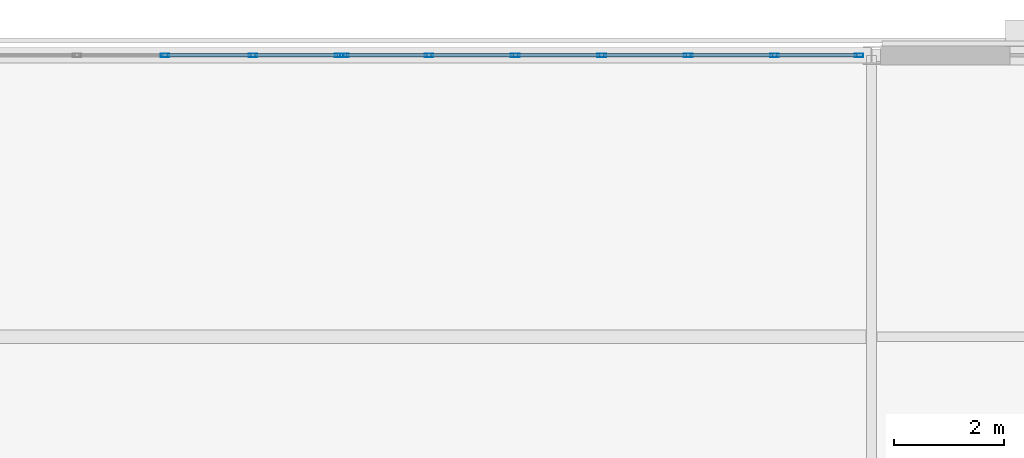
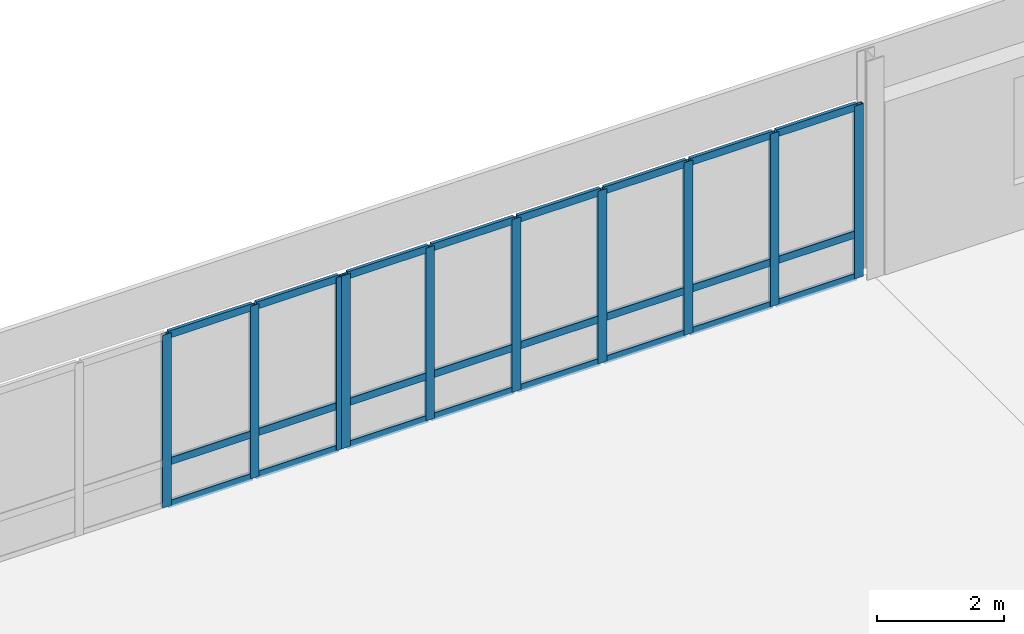
# One storey, part 70 of 185: 34 members, 2 elements without a shape of their own.
"""IFC4 building model written with IfcOpenShell, lengths in metres."""

from ifc_helpers import new_model, si_unit, direction, frame, origin, origin_2d, place, context, subcontext, project, spatial, hollow_rectangle, extrude, material, material_profile, profile_set, type_object, element, aggregate, save


model = new_model("IFC4")

# Units and contexts
model_context = context("Model", 3, precision=1e-05, world=origin(), true_north=direction((0.0, 1.0)))
body_context = subcontext(model_context, "Body", "Model", "MODEL_VIEW")
ifc_project = project(units=[si_unit("LENGTHUNIT", "METRE"), si_unit("AREAUNIT", "SQUARE_METRE"), si_unit("VOLUMEUNIT", "CUBIC_METRE"), si_unit("PLANEANGLEUNIT", "RADIAN"), si_unit("MASSUNIT", "GRAM", prefix="KILO")], contexts=[model_context])

# Site, building, storey
site_placement = place(None, origin())
site = spatial("IfcSite", under=ifc_project, at=site_placement, CompositionType="ELEMENT")
building_placement = place(site_placement, origin())
building = spatial("IfcBuilding", under=site, at=building_placement, Name="Vondelvale Polytechnic", CompositionType="ELEMENT")
storey_placement = place(building_placement, frame((0.0, 0.0, 9.60009765625)))
storey = spatial("IfcBuildingStorey", under=building, at=storey_placement, Name="L02", CompositionType="ELEMENT", Elevation=9.60009765625)

# Curtain wall, members
ifc_material = material(Name="Anodised extruded aluminium 6063-T6", Category="aluminium")
curtain_wall_type = type_object("IfcCurtainWallType", Name="CW-STUDIO-NORTH", PredefinedType="NOTDEFINED", material=ifc_material)
curtain_wall_1_placement = place(storey_placement, origin())
curtain_wall_1 = element("IfcCurtainWall", 1, at=curtain_wall_1_placement, inside=storey, type_object=curtain_wall_type, Name="L02 architectural curtain wall CW-01-005", PredefinedType="NOTDEFINED")
ifc_material_profile_1 = material_profile(ifc_material, hollow_rectangle(XDim=0.06494140625, YDim=0.159912109375, WallThickness=0.0048828125, at=origin_2d()), Name="CW-MUL-160x65")
ifc_profile_set_1 = profile_set([ifc_material_profile_1], Name="Anodised extruded aluminium 6063-T6")
member_type_1 = type_object("IfcMemberType", Name="CW-MUL-65x160", PredefinedType="MULLION", material=ifc_profile_set_1)
member_1_placement = place(storey_placement, frame((15.9951171875, 122.39990234375, 0.0), z_axis=(0.0, 0.0, 1.0), x_axis=(0.0, 1.0, 0.0)))
member_1 = element("IfcMember", 2, at=member_1_placement, type_object=member_type_1, Name="CW-01-005 mullion 5", PredefinedType="MULLION", context=body_context, shape_type="SweptSolid", body=[
    extrude(hollow_rectangle(XDim=0.06494140625, YDim=0.159912109375, WallThickness=0.0048828125, at=origin_2d()), origin(), (0.0, 0.0, 1.0), 3.31982421875),
])
member_2_placement = place(storey_placement, frame((17.590087890625, 122.39990234375, 0.0), z_axis=(0.0, 0.0, 1.0), x_axis=(0.0, 1.0, 0.0)))
member_2 = element("IfcMember", 3, at=member_2_placement, type_object=member_type_1, Name="CW-01-005 mullion 6", PredefinedType="MULLION", context=body_context, shape_type="SweptSolid", body=[
    extrude(hollow_rectangle(XDim=0.06494140625, YDim=0.159912109375, WallThickness=0.0048828125, at=origin_2d()), origin(), (0.0, 0.0, 1.0), 3.31982421875),
])
member_3_placement = place(storey_placement, frame((19.152587890625, 122.39990234375, 0.0), z_axis=(0.0, 0.0, 1.0), x_axis=(0.0, 1.0, 0.0)))
member_3 = element("IfcMember", 4, at=member_3_placement, type_object=member_type_1, Name="CW-01-005 mullion 7", PredefinedType="MULLION", context=body_context, shape_type="SweptSolid", body=[
    extrude(hollow_rectangle(XDim=0.06494140625, YDim=0.159912109375, WallThickness=0.0048828125, at=origin_2d()), origin(), (0.0, 0.0, 1.0), 3.31982421875),
])

curtain_wall_2_placement = place(storey_placement, origin())
curtain_wall_2 = element("IfcCurtainWall", 5, at=curtain_wall_2_placement, inside=storey, type_object=curtain_wall_type, Name="L02 architectural curtain wall CW-01-006", PredefinedType="NOTDEFINED")
member_4_placement = place(storey_placement, frame((19.24755859375, 122.39990234375, 0.0), z_axis=(0.0, 0.0, 1.0), x_axis=(0.0, 1.0, 0.0)))
member_4 = element("IfcMember", 6, at=member_4_placement, type_object=member_type_1, Name="CW-01-006 mullion 1", PredefinedType="MULLION", context=body_context, shape_type="SweptSolid", body=[
    extrude(hollow_rectangle(XDim=0.06494140625, YDim=0.159912109375, WallThickness=0.0048828125, at=origin_2d()), origin(), (0.0, 0.0, 1.0), 3.31982421875),
])
member_5_placement = place(storey_placement, frame((20.7802734375, 122.39990234375, 0.0), z_axis=(0.0, 0.0, 1.0), x_axis=(0.0, 1.0, 0.0)))
member_5 = element("IfcMember", 7, at=member_5_placement, type_object=member_type_1, Name="CW-01-006 mullion 2", PredefinedType="MULLION", context=body_context, shape_type="SweptSolid", body=[
    extrude(hollow_rectangle(XDim=0.06494140625, YDim=0.159912109375, WallThickness=0.0048828125, at=origin_2d()), origin(), (0.0, 0.0, 1.0), 3.31982421875),
])
member_6_placement = place(storey_placement, frame((22.345458984375, 122.39990234375, 0.0), z_axis=(0.0, 0.0, 1.0), x_axis=(0.0, 1.0, 0.0)))
member_6 = element("IfcMember", 8, at=member_6_placement, type_object=member_type_1, Name="CW-01-006 mullion 3", PredefinedType="MULLION", context=body_context, shape_type="SweptSolid", body=[
    extrude(hollow_rectangle(XDim=0.06494140625, YDim=0.159912109375, WallThickness=0.0048828125, at=origin_2d()), origin(), (0.0, 0.0, 1.0), 3.31982421875),
])
member_7_placement = place(storey_placement, frame((23.91064453125, 122.39990234375, 0.0), z_axis=(0.0, 0.0, 1.0), x_axis=(0.0, 1.0, 0.0)))
member_7 = element("IfcMember", 9, at=member_7_placement, type_object=member_type_1, Name="CW-01-006 mullion 4", PredefinedType="MULLION", context=body_context, shape_type="SweptSolid", body=[
    extrude(hollow_rectangle(XDim=0.06494140625, YDim=0.159912109375, WallThickness=0.0048828125, at=origin_2d()), origin(), (0.0, 0.0, 1.0), 3.31982421875),
])
member_8_placement = place(storey_placement, frame((25.47607421875, 122.39990234375, 0.0), z_axis=(0.0, 0.0, 1.0), x_axis=(0.0, 1.0, 0.0)))
member_8 = element("IfcMember", 10, at=member_8_placement, type_object=member_type_1, Name="CW-01-006 mullion 5", PredefinedType="MULLION", context=body_context, shape_type="SweptSolid", body=[
    extrude(hollow_rectangle(XDim=0.06494140625, YDim=0.159912109375, WallThickness=0.0048828125, at=origin_2d()), origin(), (0.0, 0.0, 1.0), 3.31982421875),
])
member_9_placement = place(storey_placement, frame((27.041259765625, 122.39990234375, 0.0), z_axis=(0.0, 0.0, 1.0), x_axis=(0.0, 1.0, 0.0)))
member_9 = element("IfcMember", 11, at=member_9_placement, type_object=member_type_1, Name="CW-01-006 mullion 6", PredefinedType="MULLION", context=body_context, shape_type="SweptSolid", body=[
    extrude(hollow_rectangle(XDim=0.06494140625, YDim=0.159912109375, WallThickness=0.0048828125, at=origin_2d()), origin(), (0.0, 0.0, 1.0), 3.31982421875),
])
member_10_placement = place(storey_placement, frame((28.573974609375, 122.39990234375, 0.0), z_axis=(0.0, 0.0, 1.0), x_axis=(0.0, 1.0, 0.0)))
member_10 = element("IfcMember", 12, at=member_10_placement, type_object=member_type_1, Name="CW-01-006 mullion 7", PredefinedType="MULLION", context=body_context, shape_type="SweptSolid", body=[
    extrude(hollow_rectangle(XDim=0.06494140625, YDim=0.159912109375, WallThickness=0.0048828125, at=origin_2d()), origin(), (0.0, 0.0, 1.0), 3.31982421875),
])

# Member
ifc_material_profile_2 = material_profile(ifc_material, hollow_rectangle(XDim=0.06005859375, YDim=0.139892578125, WallThickness=0.00341796875, at=origin_2d()), Name="CW-TRN-140x60")
ifc_profile_set_2 = profile_set([ifc_material_profile_2], Name="Anodised extruded aluminium 6063-T6")
member_type_2 = type_object("IfcMemberType", Name="CW-TRN-60x140", PredefinedType="USERDEFINED", material=ifc_profile_set_2)
member_11_placement = place(storey_placement, frame((16.027587890625, 122.39990234375, 0.02978515625), z_axis=(1.0, 0.0, 0.0), x_axis=(0.0, 1.0, 0.0)))
member_11 = element("IfcMember", 13, at=member_11_placement, type_object=member_type_2, Name="CW-01-005 transom 5.1", ObjectType="TRANSOM", PredefinedType="USERDEFINED", context=body_context, shape_type="SweptSolid", body=[
    extrude(hollow_rectangle(XDim=0.06005859375, YDim=0.139892578125, WallThickness=0.00341796875, at=origin_2d()), origin(), (0.0, 0.0, 1.0), 1.530029296875),
])

member_12_placement = place(storey_placement, frame((16.027587890625, 122.39990234375, 0.849853515625), z_axis=(1.0, 0.0, 0.0), x_axis=(0.0, 1.0, 0.0)))
member_12 = element("IfcMember", 14, at=member_12_placement, type_object=member_type_2, Name="CW-01-005 transom 5.2", ObjectType="TRANSOM", PredefinedType="USERDEFINED", context=body_context, shape_type="SweptSolid", body=[
    extrude(hollow_rectangle(XDim=0.06005859375, YDim=0.139892578125, WallThickness=0.00341796875, at=origin_2d()), origin(), (0.0, 0.0, 1.0), 1.530029296875),
])

member_13_placement = place(storey_placement, frame((16.027587890625, 122.39990234375, 3.289794921875), z_axis=(1.0, 0.0, 0.0), x_axis=(0.0, 1.0, 0.0)))
member_13 = element("IfcMember", 15, at=member_13_placement, type_object=member_type_2, Name="CW-01-005 transom 5.3", ObjectType="TRANSOM", PredefinedType="USERDEFINED", context=body_context, shape_type="SweptSolid", body=[
    extrude(hollow_rectangle(XDim=0.06005859375, YDim=0.139892578125, WallThickness=0.00341796875, at=origin_2d()), origin(), (0.0, 0.0, 1.0), 1.530029296875),
])

member_14_placement = place(storey_placement, frame((17.62255859375, 122.39990234375, 0.02978515625), z_axis=(1.0, 0.0, 0.0), x_axis=(0.0, 1.0, 0.0)))
member_14 = element("IfcMember", 16, at=member_14_placement, type_object=member_type_2, Name="CW-01-005 transom 6.1", ObjectType="TRANSOM", PredefinedType="USERDEFINED", context=body_context, shape_type="SweptSolid", body=[
    extrude(hollow_rectangle(XDim=0.06005859375, YDim=0.139892578125, WallThickness=0.00341796875, at=origin_2d()), origin(), (0.0, 0.0, 1.0), 1.49755859375),
])

member_15_placement = place(storey_placement, frame((17.62255859375, 122.39990234375, 0.849853515625), z_axis=(1.0, 0.0, 0.0), x_axis=(0.0, 1.0, 0.0)))
member_15 = element("IfcMember", 17, at=member_15_placement, type_object=member_type_2, Name="CW-01-005 transom 6.2", ObjectType="TRANSOM", PredefinedType="USERDEFINED", context=body_context, shape_type="SweptSolid", body=[
    extrude(hollow_rectangle(XDim=0.06005859375, YDim=0.139892578125, WallThickness=0.00341796875, at=origin_2d()), origin(), (0.0, 0.0, 1.0), 1.49755859375),
])

member_16_placement = place(storey_placement, frame((17.62255859375, 122.39990234375, 3.289794921875), z_axis=(1.0, 0.0, 0.0), x_axis=(0.0, 1.0, 0.0)))
member_16 = element("IfcMember", 18, at=member_16_placement, type_object=member_type_2, Name="CW-01-005 transom 6.3", ObjectType="TRANSOM", PredefinedType="USERDEFINED", context=body_context, shape_type="SweptSolid", body=[
    extrude(hollow_rectangle(XDim=0.06005859375, YDim=0.139892578125, WallThickness=0.00341796875, at=origin_2d()), origin(), (0.0, 0.0, 1.0), 1.49755859375),
])

aggregate(curtain_wall_1, [member_1, member_2, member_3, member_11, member_12, member_13, member_14, member_15, member_16])

member_17_placement = place(storey_placement, frame((19.280029296875, 122.39990234375, 0.02978515625), z_axis=(1.0, 0.0, 0.0), x_axis=(0.0, 1.0, 0.0)))
member_17 = element("IfcMember", 19, at=member_17_placement, type_object=member_type_2, Name="CW-01-006 transom 1.1", ObjectType="TRANSOM", PredefinedType="USERDEFINED", context=body_context, shape_type="SweptSolid", body=[
    extrude(hollow_rectangle(XDim=0.06005859375, YDim=0.139892578125, WallThickness=0.00341796875, at=origin_2d()), origin(), (0.0, 0.0, 1.0), 1.4677734375),
])

member_18_placement = place(storey_placement, frame((19.280029296875, 122.39990234375, 0.849853515625), z_axis=(1.0, 0.0, 0.0), x_axis=(0.0, 1.0, 0.0)))
member_18 = element("IfcMember", 20, at=member_18_placement, type_object=member_type_2, Name="CW-01-006 transom 1.2", ObjectType="TRANSOM", PredefinedType="USERDEFINED", context=body_context, shape_type="SweptSolid", body=[
    extrude(hollow_rectangle(XDim=0.06005859375, YDim=0.139892578125, WallThickness=0.00341796875, at=origin_2d()), origin(), (0.0, 0.0, 1.0), 1.4677734375),
])

member_19_placement = place(storey_placement, frame((19.280029296875, 122.39990234375, 3.289794921875), z_axis=(1.0, 0.0, 0.0), x_axis=(0.0, 1.0, 0.0)))
member_19 = element("IfcMember", 21, at=member_19_placement, type_object=member_type_2, Name="CW-01-006 transom 1.3", ObjectType="TRANSOM", PredefinedType="USERDEFINED", context=body_context, shape_type="SweptSolid", body=[
    extrude(hollow_rectangle(XDim=0.06005859375, YDim=0.139892578125, WallThickness=0.00341796875, at=origin_2d()), origin(), (0.0, 0.0, 1.0), 1.4677734375),
])

member_20_placement = place(storey_placement, frame((20.812744140625, 122.39990234375, 0.02978515625), z_axis=(1.0, 0.0, 0.0), x_axis=(0.0, 1.0, 0.0)))
member_20 = element("IfcMember", 22, at=member_20_placement, type_object=member_type_2, Name="CW-01-006 transom 2.1", ObjectType="TRANSOM", PredefinedType="USERDEFINED", context=body_context, shape_type="SweptSolid", body=[
    extrude(hollow_rectangle(XDim=0.06005859375, YDim=0.139892578125, WallThickness=0.00341796875, at=origin_2d()), origin(), (0.0, 0.0, 1.0), 1.500244140625),
])

member_21_placement = place(storey_placement, frame((20.812744140625, 122.39990234375, 0.849853515625), z_axis=(1.0, 0.0, 0.0), x_axis=(0.0, 1.0, 0.0)))
member_21 = element("IfcMember", 23, at=member_21_placement, type_object=member_type_2, Name="CW-01-006 transom 2.2", ObjectType="TRANSOM", PredefinedType="USERDEFINED", context=body_context, shape_type="SweptSolid", body=[
    extrude(hollow_rectangle(XDim=0.06005859375, YDim=0.139892578125, WallThickness=0.00341796875, at=origin_2d()), origin(), (0.0, 0.0, 1.0), 1.500244140625),
])

member_22_placement = place(storey_placement, frame((20.812744140625, 122.39990234375, 3.289794921875), z_axis=(1.0, 0.0, 0.0), x_axis=(0.0, 1.0, 0.0)))
member_22 = element("IfcMember", 24, at=member_22_placement, type_object=member_type_2, Name="CW-01-006 transom 2.3", ObjectType="TRANSOM", PredefinedType="USERDEFINED", context=body_context, shape_type="SweptSolid", body=[
    extrude(hollow_rectangle(XDim=0.06005859375, YDim=0.139892578125, WallThickness=0.00341796875, at=origin_2d()), origin(), (0.0, 0.0, 1.0), 1.500244140625),
])

member_23_placement = place(storey_placement, frame((22.3779296875, 122.39990234375, 0.02978515625), z_axis=(1.0, 0.0, 0.0), x_axis=(0.0, 1.0, 0.0)))
member_23 = element("IfcMember", 25, at=member_23_placement, type_object=member_type_2, Name="CW-01-006 transom 3.1", ObjectType="TRANSOM", PredefinedType="USERDEFINED", context=body_context, shape_type="SweptSolid", body=[
    extrude(hollow_rectangle(XDim=0.06005859375, YDim=0.139892578125, WallThickness=0.00341796875, at=origin_2d()), origin(), (0.0, 0.0, 1.0), 1.500244140625),
])

member_24_placement = place(storey_placement, frame((22.3779296875, 122.39990234375, 0.849853515625), z_axis=(1.0, 0.0, 0.0), x_axis=(0.0, 1.0, 0.0)))
member_24 = element("IfcMember", 26, at=member_24_placement, type_object=member_type_2, Name="CW-01-006 transom 3.2", ObjectType="TRANSOM", PredefinedType="USERDEFINED", context=body_context, shape_type="SweptSolid", body=[
    extrude(hollow_rectangle(XDim=0.06005859375, YDim=0.139892578125, WallThickness=0.00341796875, at=origin_2d()), origin(), (0.0, 0.0, 1.0), 1.500244140625),
])

member_25_placement = place(storey_placement, frame((22.3779296875, 122.39990234375, 3.289794921875), z_axis=(1.0, 0.0, 0.0), x_axis=(0.0, 1.0, 0.0)))
member_25 = element("IfcMember", 27, at=member_25_placement, type_object=member_type_2, Name="CW-01-006 transom 3.3", ObjectType="TRANSOM", PredefinedType="USERDEFINED", context=body_context, shape_type="SweptSolid", body=[
    extrude(hollow_rectangle(XDim=0.06005859375, YDim=0.139892578125, WallThickness=0.00341796875, at=origin_2d()), origin(), (0.0, 0.0, 1.0), 1.500244140625),
])

member_26_placement = place(storey_placement, frame((23.943359375, 122.39990234375, 0.02978515625), z_axis=(1.0, 0.0, 0.0), x_axis=(0.0, 1.0, 0.0)))
member_26 = element("IfcMember", 28, at=member_26_placement, type_object=member_type_2, Name="CW-01-006 transom 4.1", ObjectType="TRANSOM", PredefinedType="USERDEFINED", context=body_context, shape_type="SweptSolid", body=[
    extrude(hollow_rectangle(XDim=0.06005859375, YDim=0.139892578125, WallThickness=0.00341796875, at=origin_2d()), origin(), (0.0, 0.0, 1.0), 1.500244140625),
])

member_27_placement = place(storey_placement, frame((23.943359375, 122.39990234375, 0.849853515625), z_axis=(1.0, 0.0, 0.0), x_axis=(0.0, 1.0, 0.0)))
member_27 = element("IfcMember", 29, at=member_27_placement, type_object=member_type_2, Name="CW-01-006 transom 4.2", ObjectType="TRANSOM", PredefinedType="USERDEFINED", context=body_context, shape_type="SweptSolid", body=[
    extrude(hollow_rectangle(XDim=0.06005859375, YDim=0.139892578125, WallThickness=0.00341796875, at=origin_2d()), origin(), (0.0, 0.0, 1.0), 1.500244140625),
])

member_28_placement = place(storey_placement, frame((23.943359375, 122.39990234375, 3.289794921875), z_axis=(1.0, 0.0, 0.0), x_axis=(0.0, 1.0, 0.0)))
member_28 = element("IfcMember", 30, at=member_28_placement, type_object=member_type_2, Name="CW-01-006 transom 4.3", ObjectType="TRANSOM", PredefinedType="USERDEFINED", context=body_context, shape_type="SweptSolid", body=[
    extrude(hollow_rectangle(XDim=0.06005859375, YDim=0.139892578125, WallThickness=0.00341796875, at=origin_2d()), origin(), (0.0, 0.0, 1.0), 1.500244140625),
])

member_29_placement = place(storey_placement, frame((25.508544921875, 122.39990234375, 0.02978515625), z_axis=(1.0, 0.0, 0.0), x_axis=(0.0, 1.0, 0.0)))
member_29 = element("IfcMember", 31, at=member_29_placement, type_object=member_type_2, Name="CW-01-006 transom 5.1", ObjectType="TRANSOM", PredefinedType="USERDEFINED", context=body_context, shape_type="SweptSolid", body=[
    extrude(hollow_rectangle(XDim=0.06005859375, YDim=0.139892578125, WallThickness=0.00341796875, at=origin_2d()), origin(), (0.0, 0.0, 1.0), 1.500244140625),
])

member_30_placement = place(storey_placement, frame((25.508544921875, 122.39990234375, 0.849853515625), z_axis=(1.0, 0.0, 0.0), x_axis=(0.0, 1.0, 0.0)))
member_30 = element("IfcMember", 32, at=member_30_placement, type_object=member_type_2, Name="CW-01-006 transom 5.2", ObjectType="TRANSOM", PredefinedType="USERDEFINED", context=body_context, shape_type="SweptSolid", body=[
    extrude(hollow_rectangle(XDim=0.06005859375, YDim=0.139892578125, WallThickness=0.00341796875, at=origin_2d()), origin(), (0.0, 0.0, 1.0), 1.500244140625),
])

member_31_placement = place(storey_placement, frame((25.508544921875, 122.39990234375, 3.289794921875), z_axis=(1.0, 0.0, 0.0), x_axis=(0.0, 1.0, 0.0)))
member_31 = element("IfcMember", 33, at=member_31_placement, type_object=member_type_2, Name="CW-01-006 transom 5.3", ObjectType="TRANSOM", PredefinedType="USERDEFINED", context=body_context, shape_type="SweptSolid", body=[
    extrude(hollow_rectangle(XDim=0.06005859375, YDim=0.139892578125, WallThickness=0.00341796875, at=origin_2d()), origin(), (0.0, 0.0, 1.0), 1.500244140625),
])

member_32_placement = place(storey_placement, frame((27.07373046875, 122.39990234375, 0.02978515625), z_axis=(1.0, 0.0, 0.0), x_axis=(0.0, 1.0, 0.0)))
member_32 = element("IfcMember", 34, at=member_32_placement, type_object=member_type_2, Name="CW-01-006 transom 6.1", ObjectType="TRANSOM", PredefinedType="USERDEFINED", context=body_context, shape_type="SweptSolid", body=[
    extrude(hollow_rectangle(XDim=0.06005859375, YDim=0.139892578125, WallThickness=0.00341796875, at=origin_2d()), origin(), (0.0, 0.0, 1.0), 1.4677734375),
])

member_33_placement = place(storey_placement, frame((27.07373046875, 122.39990234375, 0.849853515625), z_axis=(1.0, 0.0, 0.0), x_axis=(0.0, 1.0, 0.0)))
member_33 = element("IfcMember", 35, at=member_33_placement, type_object=member_type_2, Name="CW-01-006 transom 6.2", ObjectType="TRANSOM", PredefinedType="USERDEFINED", context=body_context, shape_type="SweptSolid", body=[
    extrude(hollow_rectangle(XDim=0.06005859375, YDim=0.139892578125, WallThickness=0.00341796875, at=origin_2d()), origin(), (0.0, 0.0, 1.0), 1.4677734375),
])

member_34_placement = place(storey_placement, frame((27.07373046875, 122.39990234375, 3.289794921875), z_axis=(1.0, 0.0, 0.0), x_axis=(0.0, 1.0, 0.0)))
member_34 = element("IfcMember", 36, at=member_34_placement, type_object=member_type_2, Name="CW-01-006 transom 6.3", ObjectType="TRANSOM", PredefinedType="USERDEFINED", context=body_context, shape_type="SweptSolid", body=[
    extrude(hollow_rectangle(XDim=0.06005859375, YDim=0.139892578125, WallThickness=0.00341796875, at=origin_2d()), origin(), (0.0, 0.0, 1.0), 1.4677734375),
])

aggregate(curtain_wall_2, [member_4, member_5, member_6, member_7, member_8, member_9, member_10, member_17, member_18, member_19, member_20, member_21, member_22, member_23, member_24, member_25, member_26, member_27, member_28, member_29, member_30, member_31, member_32, member_33, member_34])

save(model, "model.ifc")
